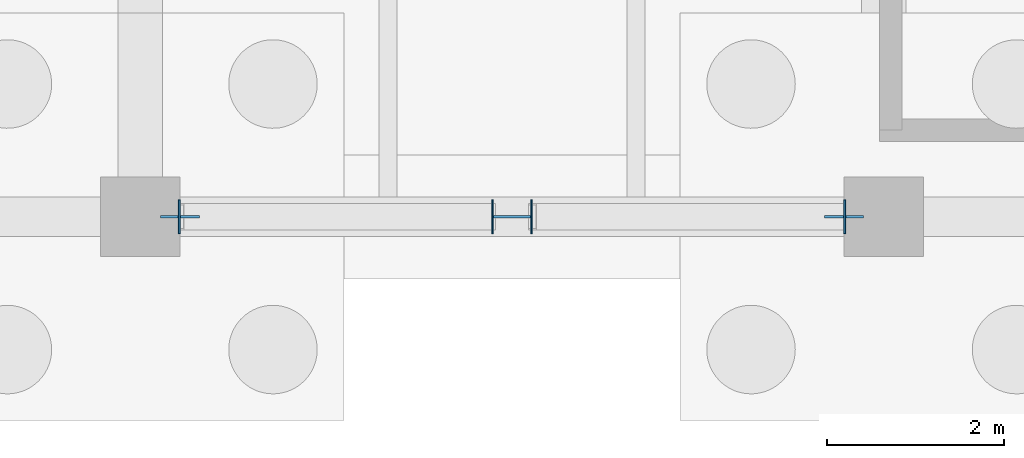
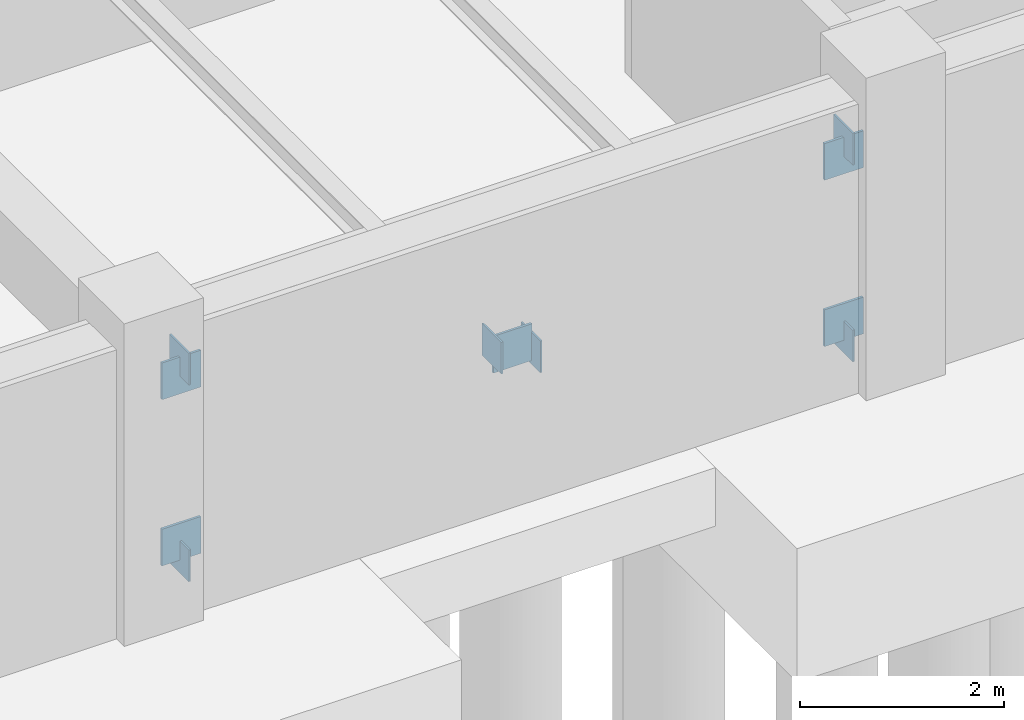
# One storey, part 36 of 70: 11 plates.
"""IFC4 building model written with IfcOpenShell, lengths in metres."""

from ifc_helpers import new_model, si_unit, direction, frame, origin, origin_2d, place, context, subcontext, project, spatial, rectangle, extrude, material, layer, layer_set, type_object, element, save


model = new_model("IFC4")

# Units and contexts
model_context = context("Model", 3, precision=1e-05, world=origin(), true_north=direction((0.0, 1.0)))
body_context = subcontext(model_context, "Body", "Model", "MODEL_VIEW")
ifc_project = project(units=[si_unit("LENGTHUNIT", "METRE"), si_unit("AREAUNIT", "SQUARE_METRE"), si_unit("VOLUMEUNIT", "CUBIC_METRE"), si_unit("PLANEANGLEUNIT", "RADIAN"), si_unit("MASSUNIT", "GRAM", prefix="KILO")], contexts=[model_context])

# Site, building, storey
site_placement = place(None, origin())
site = spatial("IfcSite", under=ifc_project, at=site_placement, CompositionType="ELEMENT")
building_placement = place(site_placement, origin())
building = spatial("IfcBuilding", under=site, at=building_placement, Name="Cumbredor Promenade Congress Hotel", CompositionType="ELEMENT")
storey_placement = place(building_placement, frame((0.0, 0.0, -7.56005859375)))
storey = spatial("IfcBuildingStorey", under=building, at=storey_placement, Name="B02", CompositionType="ELEMENT", Elevation=-7.56005859375)

# Plates
ifc_material = material(Name="Steel ASTM A572 Grade 50", Category="steel")
ifc_layer_1 = layer(ifc_material, 0.02001953125, Name="Steel ASTM A572 Grade 50", Category="steel")
ifc_layer_set_1 = layer_set([ifc_layer_1], Name="Steel ASTM A572 Grade 50")
plate_type_1 = type_object("IfcPlateType", Name="Hollow Section End Cap Plate CP-04", PredefinedType="USERDEFINED", material=ifc_layer_set_1)
for number, where, z_axis, x_axis, name in (
    (1, (50.84228515625, 8.39990234375, -0.1923828125), (0.0, 0.0, 1.0), (1.0, 0.0, 0.0), "B02 X-Brace Continuous Diagonal 2A Start Cap Plate"),
    (2, (58.357666015625, 8.39990234375, 2.16259765625), (0.0, 0.0, 1.0), (1.0, 0.0, 0.0), "B02 X-Brace Continuous Diagonal 2A End Cap Plate"),
    (3, (58.357666015625, 8.39990234375, -0.1923828125), (0.0, 0.0, 1.0), (-1.0, 0.0, 0.0), "B02 X-Brace Lower Split Diagonal 2B1 Start Cap Plate"),
    (4, (54.8212890625, 8.39990234375, 0.915771484375), (0.0, 0.0, 1.0), (-1.0, 0.0, 0.0), "B02 X-Brace Lower Split Diagonal 2B1 End Cap Plate"),
    (5, (54.378662109375, 8.39990234375, 1.054443359375), (0.0, 0.0, 1.0), (-1.0, 0.0, 0.0), "B02 X-Brace Upper Split Diagonal 2B2 Start Cap Plate"),
    (6, (50.84228515625, 8.39990234375, 2.16259765625), (0.0, 0.0, 1.0), (-1.0, 0.0, 0.0), "B02 X-Brace Upper Split Diagonal 2B2 End Cap Plate"),
):
    element("IfcPlate", number, at=place(storey_placement, frame(where, z_axis=z_axis, x_axis=x_axis)), inside=storey, type_object=plate_type_1, Name=name, ObjectType="CAP PLATE", PredefinedType="USERDEFINED", context=body_context, shape_type="SweptSolid", body=[
        extrude(rectangle(XDim=0.02001953125, YDim=0.3798828125, at=origin_2d()), origin(), (0.0, 0.0, 1.0), 0.3798828125),
    ])
ifc_layer_2 = layer(ifc_material, 0.028076171875, Name="Steel ASTM A572 Grade 50", Category="steel")
ifc_layer_set_2 = layer_set([ifc_layer_2], Name="Steel ASTM A572 Grade 50")
plate_type_2 = type_object("IfcPlateType", Name="Space Frame Node Assembly ND-03", PredefinedType="USERDEFINED", material=ifc_layer_set_2)
for number, where, z_axis, x_axis, name in (
    (7, (50.85009765625, 8.39990234375, -0.039794921875), (0.0, 0.0, 1.0), (1.0, 0.0, 0.0), "B02 Seismic Frame Gusset Plate 2-BL"),
    (8, (58.35009765625, 8.39990234375, -0.039794921875), (0.0, 0.0, 1.0), (1.0, 0.0, 0.0), "B02 Seismic Frame Gusset Plate 2-BR"),
    (9, (50.85009765625, 8.39990234375, 1.9501953125), (0.0, 0.0, 1.0), (1.0, 0.0, 0.0), "B02 Seismic Frame Gusset Plate 2-TL"),
    (10, (58.35009765625, 8.39990234375, 1.9501953125), (0.0, 0.0, 1.0), (1.0, 0.0, 0.0), "B02 Seismic Frame Gusset Plate 2-TR"),
    (11, (54.60009765625, 8.39990234375, 0.955078125), (0.0, 0.0, 1.0), (1.0, 0.0, 0.0), "B02 X-Brace Central Crossing Gusset Plate 2"),
):
    element("IfcPlate", number, at=place(storey_placement, frame(where, z_axis=z_axis, x_axis=x_axis)), inside=storey, type_object=plate_type_2, Name=name, ObjectType="GUSSET PLATE", PredefinedType="USERDEFINED", context=body_context, shape_type="SweptSolid", body=[
        extrude(rectangle(XDim=0.43994140625, YDim=0.028076171875, at=origin_2d()), origin(), (0.0, 0.0, 1.0), 0.43994140625),
    ])

save(model, "model.ifc")
